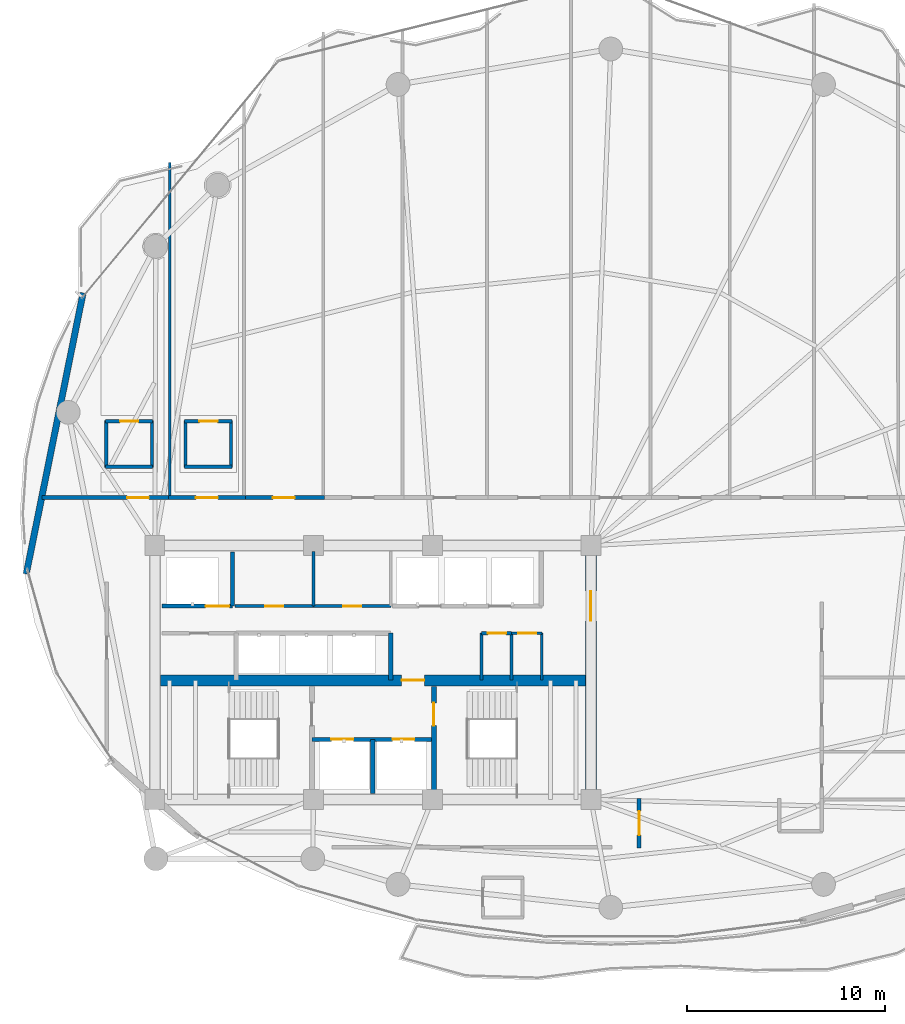
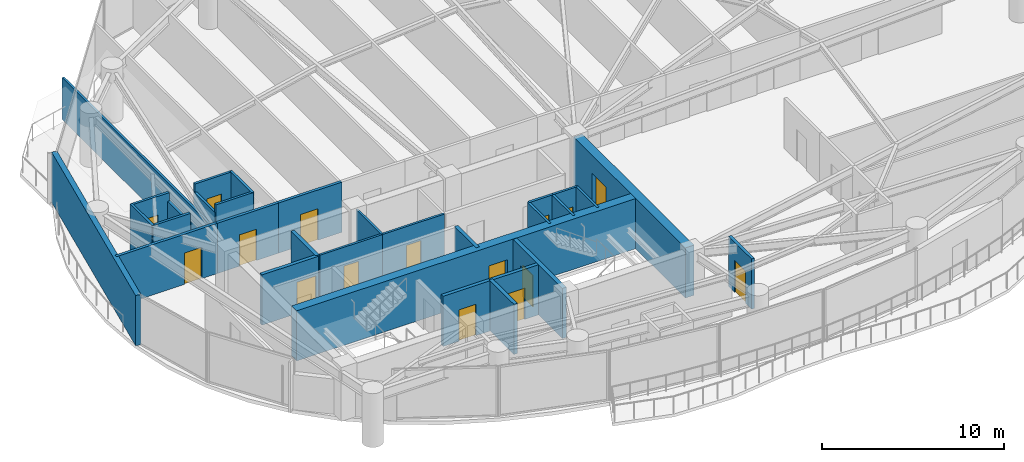
# One storey, part 23 of 28: 30 walls, 16 doors, 16 openings.
"""IFC4 building model written with IfcOpenShell, lengths in metres."""

from ifc_helpers import new_model, si_unit, direction, frame, frame_2d, origin, place, context, subcontext, project, spatial, rectangle, extrude, material, layer, layer_set, type_object, element, fill, save


model = new_model("IFC4")

# Units and contexts
model_context = context("Model", 3, precision=1e-05, world=origin(), true_north=direction((0.0, 1.0)))
body_context = subcontext(model_context, "Body", "Model", "MODEL_VIEW")
ifc_project = project(units=[si_unit("LENGTHUNIT", "METRE"), si_unit("AREAUNIT", "SQUARE_METRE"), si_unit("VOLUMEUNIT", "CUBIC_METRE"), si_unit("PLANEANGLEUNIT", "RADIAN"), si_unit("MASSUNIT", "GRAM", prefix="KILO")], contexts=[model_context])

# Site, building, storey
site_placement = place(None, origin())
site = spatial("IfcSite", under=ifc_project, at=site_placement, CompositionType="ELEMENT")
building_placement = place(site_placement, origin())
building = spatial("IfcBuilding", under=site, at=building_placement, Name="Kazevale Care Tower and Concert Hall", CompositionType="ELEMENT")
storey_placement = place(building_placement, frame((0.0, 0.0, 138.60009765625)))
storey = spatial("IfcBuildingStorey", under=building, at=storey_placement, Name="L36", CompositionType="ELEMENT", Elevation=138.60009765625)

# Wall, opening, door
ifc_material_1 = material(Name="Acoustic Gypsum on Steel Stud", Category="steel")
ifc_layer_1 = layer(ifc_material_1, 0.139892578125)
ifc_layer_set_1 = layer_set([ifc_layer_1], Name="Acoustic Gypsum on Steel Stud")
wall_type_1 = type_object("IfcWallType", Name="Acoustic Care & Suite Partition 140", PredefinedType="PARTITIONING", material=ifc_layer_set_1)
wall_1_placement = place(storey_placement, frame((26.050048828125, 33.35009765625, 0.0), z_axis=(0.0, 0.0, 1.0), x_axis=(1.0, 0.0, 0.0)))
wall_1 = element("IfcWall", 1, at=wall_1_placement, inside=storey, type_object=wall_type_1, Name="wall:L36:c_rpl1_s", PredefinedType="PARTITIONING", context=body_context, shape_type="SweptSolid", body=[
    extrude(rectangle(XDim=3.949951171875, YDim=0.139892578125, at=frame_2d((1.97509765625, 0.0))), origin(), (0.0, 0.0, 1.0), 3.35986328125),
])
opening_1_placement = place(wall_1_placement, frame((1.514892578125, 0.0, 0.0)))
opening_1 = element("IfcOpeningElement", 2, at=opening_1_placement, cuts=wall_1, Name="Opening ID-900", PredefinedType="OPENING", context=body_context, shape_type="SweptSolid", body=[
    extrude(rectangle(XDim=0.919921875, YDim=2.10009765625, at=frame_2d((0.4599609375, 1.050048828125))), frame((0.0, 0.079833984375, 0.0), z_axis=(0.0, -1.0, 0.0), x_axis=(1.0, 0.0, 0.0)), (0.0, 0.0, 1.0), 0.159912109375),
])
ifc_material_2 = material(Name="Oak Timber Fire Leaf", Category="wood")
door_type_1 = type_object("IfcDoorType", Name="Bathroom & Service Door 920x2100", OperationType="NOTDEFINED", PredefinedType="DOOR", material=ifc_material_2)
door_1_placement = place(opening_1_placement, origin())
door_1 = element("IfcDoor", 3, at=door_1_placement, inside=storey, type_object=door_type_1, Name="door:L36:d_rpl1", OperationType="SINGLE_SWING_LEFT", OverallHeight=2.10009765625, OverallWidth=0.919921875, PredefinedType="DOOR", context=body_context, shape_type="SweptSolid", body=[
    extrude(rectangle(XDim=0.919921875, YDim=2.10009765625, at=frame_2d((0.4599609375, 1.050048828125))), frame((0.0, 0.02490234375, 0.0), z_axis=(0.0, -1.0, 0.0), x_axis=(1.0, 0.0, 0.0)), (0.0, 0.0, 1.0), 0.050048828125),
])
fill(opening_1, door_1)

wall_2_placement = place(storey_placement, frame((30.0, 33.35009765625, 0.0), z_axis=(0.0, 0.0, 1.0), x_axis=(1.0, 0.0, 0.0)))
wall_2 = element("IfcWall", 4, at=wall_2_placement, inside=storey, type_object=wall_type_1, Name="wall:L36:c_rpl2_s", PredefinedType="PARTITIONING", context=body_context, shape_type="SweptSolid", body=[
    extrude(rectangle(XDim=3.919921875, YDim=0.139892578125, at=frame_2d((1.9599609375, 0.0))), origin(), (0.0, 0.0, 1.0), 3.35986328125),
])
opening_2_placement = place(wall_2_placement, frame((1.5, 0.0, 0.0)))
opening_2 = element("IfcOpeningElement", 5, at=opening_2_placement, cuts=wall_2, Name="Opening ID-900", PredefinedType="OPENING", context=body_context, shape_type="SweptSolid", body=[
    extrude(rectangle(XDim=0.919921875, YDim=2.10009765625, at=frame_2d((0.4599609375, 1.050048828125))), frame((0.0, 0.079833984375, 0.0), z_axis=(0.0, -1.0, 0.0), x_axis=(1.0, 0.0, 0.0)), (0.0, 0.0, 1.0), 0.159912109375),
])
door_2_placement = place(opening_2_placement, origin())
door_2 = element("IfcDoor", 6, at=door_2_placement, inside=storey, type_object=door_type_1, Name="door:L36:d_rpl2", OperationType="SINGLE_SWING_RIGHT", OverallHeight=2.10009765625, OverallWidth=0.919921875, PredefinedType="DOOR", context=body_context, shape_type="SweptSolid", body=[
    extrude(rectangle(XDim=0.919921875, YDim=2.10009765625, at=frame_2d((0.4599609375, 1.050048828125))), frame((0.0, 0.02490234375, 0.0), z_axis=(0.0, -1.0, 0.0), x_axis=(1.0, 0.0, 0.0)), (0.0, 0.0, 1.0), 0.050048828125),
])
fill(opening_2, door_2)

# Walls
wall_3_placement = place(storey_placement, frame((30.0, 33.35009765625, 0.0), z_axis=(0.0, 0.0, 1.0), x_axis=(0.0, 1.0, 0.0)))
element("IfcWall", 7, at=wall_3_placement, inside=storey, type_object=wall_type_1, Name="wall:L36:c_rpl_m", PredefinedType="PARTITIONING", context=body_context, shape_type="SweptSolid", body=[
    extrude(rectangle(XDim=2.75, YDim=0.139892578125, at=frame_2d((1.375, 0.0))), origin(), (0.0, 0.0, 1.0), 3.35986328125),
])
wall_4_placement = place(storey_placement, frame((41.52001953125, 29.6201171875, 0.0), z_axis=(0.0, 0.0, 1.0), x_axis=(0.0, 1.0, 0.0)))
element("IfcWall", 8, at=wall_4_placement, inside=storey, type_object=wall_type_1, Name="wall:L36:ka_ee", PredefinedType="PARTITIONING", context=body_context, shape_type="SweptSolid", body=[
    extrude(rectangle(XDim=2.35986328125, YDim=0.139892578125, at=frame_2d((1.179931640625, 0.0))), origin(), (0.0, 0.0, 1.0), 3.35986328125),
])

# Wall, opening, door
wall_5_placement = place(storey_placement, frame((40.0, 31.97998046875, 0.0), z_axis=(0.0, 0.0, 1.0), x_axis=(1.0, 0.0, 0.0)))
wall_5 = element("IfcWall", 9, at=wall_5_placement, inside=storey, type_object=wall_type_1, Name="wall:L36:ka_en2", PredefinedType="PARTITIONING", context=body_context, shape_type="SweptSolid", body=[
    extrude(rectangle(XDim=1.52001953125, YDim=0.139892578125, at=frame_2d((0.760009765625, 0.0))), origin(), (0.0, 0.0, 1.0), 3.35986328125),
])
opening_3_placement = place(wall_5_placement, frame((0.320068359375, 0.0, 0.0)))
opening_3 = element("IfcOpeningElement", 10, at=opening_3_placement, cuts=wall_5, Name="Opening ID-900", PredefinedType="OPENING", context=body_context, shape_type="SweptSolid", body=[
    extrude(rectangle(XDim=0.919921875, YDim=2.10009765625, at=frame_2d((0.4599609375, 1.050048828125))), frame((0.0, 0.079833984375, 0.0), z_axis=(0.0, -1.0, 0.0), x_axis=(1.0, 0.0, 0.0)), (0.0, 0.0, 1.0), 0.159912109375),
])
door_3_placement = place(opening_3_placement, origin())
door_3 = element("IfcDoor", 11, at=door_3_placement, inside=storey, type_object=door_type_1, Name="door:L36:d_kae2", OperationType="SINGLE_SWING_RIGHT", OverallHeight=2.10009765625, OverallWidth=0.919921875, PredefinedType="DOOR", context=body_context, shape_type="SweptSolid", body=[
    extrude(rectangle(XDim=0.919921875, YDim=2.10009765625, at=frame_2d((0.4599609375, 1.050048828125))), frame((0.0, 0.02490234375, 0.0), z_axis=(0.0, -1.0, 0.0), x_axis=(1.0, 0.0, 0.0)), (0.0, 0.0, 1.0), 0.050048828125),
])
fill(opening_3, door_3)

# Wall
wall_6_placement = place(storey_placement, frame((22.75, 55.73388671875, 0.0), z_axis=(0.0, 0.0, 1.0), x_axis=(0.0, -1.0, 0.0)))
element("IfcWall", 12, at=wall_6_placement, inside=storey, type_object=wall_type_1, Name="wall:L36:auto_021", PredefinedType="PARTITIONING", context=body_context, shape_type="SweptSolid", body=[
    extrude(rectangle(XDim=16.93896484375, YDim=0.139892578125, at=frame_2d((8.469482421875, 0.0))), origin(), (0.0, 0.0, 1.0), 2.805908203125),
])

# Wall, opening, door
ifc_material_3 = material(Name="Concrete C60", Category="concrete")
ifc_layer_2 = layer(ifc_material_3, 0.550048828125)
ifc_layer_set_2 = layer_set([ifc_layer_2], Name="Concrete C60")
wall_type_2 = type_object("IfcWallType", Name="Core Shear Wall 550 C60", PredefinedType="SHEAR", material=ifc_layer_set_2)
wall_7_placement = place(storey_placement, frame((44.0, 23.875, 0.0), z_axis=(0.0, 0.0, 1.0), x_axis=(0.0, 1.0, 0.0)))
wall_7 = element("IfcWall", 13, at=wall_7_placement, inside=storey, type_object=wall_type_2, Name="wall:L36:core:E", PredefinedType="SHEAR", context=body_context, shape_type="SweptSolid", body=[
    extrude(rectangle(XDim=12.25, YDim=0.550048828125, at=frame_2d((6.125, 0.0))), origin(), (0.0, 0.0, 1.0), 3.35986328125),
])
opening_4_placement = place(wall_7_placement, frame((8.72509765625, 0.0, 0.0)))
opening_4 = element("IfcOpeningElement", 14, at=opening_4_placement, cuts=wall_7, Name="Opening FD-60D", PredefinedType="OPENING", context=body_context, shape_type="SweptSolid", body=[
    extrude(rectangle(XDim=1.5, YDim=2.14990234375, at=frame_2d((0.75, 1.074951171875))), frame((0.0, 0.284912109375, 0.0), z_axis=(0.0, -1.0, 0.0), x_axis=(1.0, 0.0, 0.0)), (0.0, 0.0, 1.0), 0.570068359375),
])
door_type_2 = type_object("IfcDoorType", Name="Double Lobby & Auditorium Fire Door 1500x2150", OperationType="NOTDEFINED", PredefinedType="DOOR", material=ifc_material_2)
door_4_placement = place(opening_4_placement, origin())
door_4 = element("IfcDoor", 15, at=door_4_placement, inside=storey, type_object=door_type_2, Name="door:L36:core_east_out", OperationType="DOUBLE_DOOR_SINGLE_SWING", OverallHeight=2.14990234375, OverallWidth=1.5, PredefinedType="DOOR", context=body_context, shape_type="SweptSolid", body=[
    extrude(rectangle(XDim=1.5, YDim=2.14990234375, at=frame_2d((0.75, 1.074951171875))), frame((0.0, 0.02490234375, 0.0), z_axis=(0.0, -1.0, 0.0), x_axis=(1.0, 0.0, 0.0)), (0.0, 0.0, 1.0), 0.050048828125),
])
fill(opening_4, door_4)

wall_8_placement = place(storey_placement, frame((22.27490234375, 29.60009765625, 0.0), z_axis=(0.0, 0.0, 1.0), x_axis=(1.0, 0.0, 0.0)))
wall_8 = element("IfcWall", 16, at=wall_8_placement, inside=storey, type_object=wall_type_2, Name="wall:L36:core:M", PredefinedType="SHEAR", context=body_context, shape_type="SweptSolid", body=[
    extrude(rectangle(XDim=21.4501953125, YDim=0.550048828125, at=frame_2d((10.72509765625, 0.0))), origin(), (0.0, 0.0, 1.0), 3.35986328125),
])
opening_5_placement = place(wall_8_placement, frame((12.175048828125, 0.0, 0.0)))
opening_5 = element("IfcOpeningElement", 17, at=opening_5_placement, cuts=wall_8, Name="Opening FD-90", PredefinedType="OPENING", context=body_context, shape_type="SweptSolid", body=[
    extrude(rectangle(XDim=1.14990234375, YDim=2.10009765625, at=frame_2d((0.574951171875, 1.050048828125))), frame((0.0, 0.284912109375, 0.0), z_axis=(0.0, -1.0, 0.0), x_axis=(1.0, 0.0, 0.0)), (0.0, 0.0, 1.0), 0.570068359375),
])
ifc_material_4 = material(Name="Steel ASTM A572 Gr 50", Category="steel")
door_type_3 = type_object("IfcDoorType", Name="Pressurized Stair & Lobby Fire Door 1150x2100", OperationType="NOTDEFINED", PredefinedType="DOOR", material=ifc_material_4)
door_5_placement = place(opening_5_placement, origin())
door_5 = element("IfcDoor", 18, at=door_5_placement, inside=storey, type_object=door_type_3, Name="door:L36:ff_to_pax", OperationType="SINGLE_SWING_LEFT", OverallHeight=2.10009765625, OverallWidth=1.14990234375, PredefinedType="DOOR", context=body_context, shape_type="SweptSolid", body=[
    extrude(rectangle(XDim=1.14990234375, YDim=2.10009765625, at=frame_2d((0.574951171875, 1.050048828125))), frame((0.0, 0.02490234375, 0.0), z_axis=(0.0, -1.0, 0.0), x_axis=(1.0, 0.0, 0.0)), (0.0, 0.0, 1.0), 0.050048828125),
])
fill(opening_5, door_5)

# Wall, openings, doors
ifc_material_5 = material(Name="Concrete C40", Category="concrete")
ifc_layer_3 = layer(ifc_material_5, 0.219970703125)
ifc_layer_set_3 = layer_set([ifc_layer_3], Name="Concrete C40")
wall_type_3 = type_object("IfcWallType", Name="Elevator Hoistway Shaft Wall 220", PredefinedType="SOLIDWALL", material=ifc_layer_set_3)
wall_9_placement = place(storey_placement, frame((29.919921875, 26.6201171875, 0.0), z_axis=(0.0, 0.0, 1.0), x_axis=(1.0, 0.0, 0.0)))
wall_9 = element("IfcWall", 19, at=wall_9_placement, inside=storey, type_object=wall_type_3, Name="wall:L36:c_ffl_n", PredefinedType="SOLIDWALL", context=body_context, shape_type="SweptSolid", body=[
    extrude(rectangle(XDim=6.16015625, YDim=0.219970703125, at=frame_2d((3.080078125, 0.0))), origin(), (0.0, 0.0, 1.0), 3.35986328125),
])
opening_6_placement = place(wall_9_placement, frame((0.989990234375, 0.0, 0.0)))
opening_6 = element("IfcOpeningElement", 20, at=opening_6_placement, cuts=wall_9, Name="Opening LD-FF", PredefinedType="OPENING", context=body_context, shape_type="SweptSolid", body=[
    extrude(rectangle(XDim=1.10009765625, YDim=2.10009765625, at=frame_2d((0.550048828125, 1.050048828125))), frame((0.0, 0.119873046875, 0.0), z_axis=(0.0, -1.0, 0.0), x_axis=(1.0, 0.0, 0.0)), (0.0, 0.0, 1.0), 0.239990234375),
])
opening_7_placement = place(wall_9_placement, frame((4.070068359375, 0.0, 0.0)))
opening_7 = element("IfcOpeningElement", 21, at=opening_7_placement, cuts=wall_9, Name="Opening LD-FF", PredefinedType="OPENING", context=body_context, shape_type="SweptSolid", body=[
    extrude(rectangle(XDim=1.10009765625, YDim=2.10009765625, at=frame_2d((0.550048828125, 1.050048828125))), frame((0.0, 0.119873046875, 0.0), z_axis=(0.0, -1.0, 0.0), x_axis=(1.0, 0.0, 0.0)), (0.0, 0.0, 1.0), 0.239990234375),
])
ifc_material_6 = material(Name="Stainless Steel 316", Category="steel")
door_type_4 = type_object("IfcDoorType", Name="Emergency Lift Sliding Landing Door 1100x2100", OperationType="NOTDEFINED", PredefinedType="DOOR", material=ifc_material_6)
door_6_placement = place(opening_6_placement, origin())
door_6 = element("IfcDoor", 22, at=door_6_placement, inside=storey, type_object=door_type_4, Name="door:L36:ld_ffl1", OperationType="SLIDING_TO_LEFT", OverallHeight=2.10009765625, OverallWidth=1.10009765625, PredefinedType="DOOR", context=body_context, shape_type="SweptSolid", body=[
    extrude(rectangle(XDim=1.10009765625, YDim=2.10009765625, at=frame_2d((0.550048828125, 1.050048828125))), frame((0.0, 0.02490234375, 0.0), z_axis=(0.0, -1.0, 0.0), x_axis=(1.0, 0.0, 0.0)), (0.0, 0.0, 1.0), 0.050048828125),
])
fill(opening_6, door_6)
door_7_placement = place(opening_7_placement, origin())
door_7 = element("IfcDoor", 23, at=door_7_placement, inside=storey, type_object=door_type_4, Name="door:L36:ld_ffl2", OperationType="SLIDING_TO_RIGHT", OverallHeight=2.10009765625, OverallWidth=1.10009765625, PredefinedType="DOOR", context=body_context, shape_type="SweptSolid", body=[
    extrude(rectangle(XDim=1.10009765625, YDim=2.10009765625, at=frame_2d((0.550048828125, 1.050048828125))), frame((0.0, 0.02490234375, 0.0), z_axis=(0.0, -1.0, 0.0), x_axis=(1.0, 0.0, 0.0)), (0.0, 0.0, 1.0), 0.050048828125),
])
fill(opening_7, door_7)

# Walls
wall_10_placement = place(storey_placement, frame((33.0, 23.89990234375, 0.0), z_axis=(0.0, 0.0, 1.0), x_axis=(0.0, 1.0, 0.0)))
element("IfcWall", 24, at=wall_10_placement, inside=storey, type_object=wall_type_3, Name="wall:L36:c_ffl_m", PredefinedType="SOLIDWALL", context=body_context, shape_type="SweptSolid", body=[
    extrude(rectangle(XDim=2.72021484375, YDim=0.219970703125, at=frame_2d((1.360107421875, 0.0))), origin(), (0.0, 0.0, 1.0), 3.35986328125),
])
wall_11_placement = place(storey_placement, frame((25.919921875, 33.35009765625, 0.0), z_axis=(0.0, 0.0, 1.0), x_axis=(0.0, 1.0, 0.0)))
element("IfcWall", 25, at=wall_11_placement, inside=storey, type_object=wall_type_3, Name="wall:L36:c_svl_e", PredefinedType="SOLIDWALL", context=body_context, shape_type="SweptSolid", body=[
    extrude(rectangle(XDim=2.72998046875, YDim=0.219970703125, at=frame_2d((1.364990234375, 0.0))), origin(), (0.0, 0.0, 1.0), 3.35986328125),
])

# Wall, opening, door
wall_12_placement = place(storey_placement, frame((22.35009765625, 33.35009765625, 0.0), z_axis=(0.0, 0.0, 1.0), x_axis=(1.0, 0.0, 0.0)))
wall_12 = element("IfcWall", 26, at=wall_12_placement, inside=storey, type_object=wall_type_3, Name="wall:L36:c_svl_s", PredefinedType="SOLIDWALL", context=body_context, shape_type="SweptSolid", body=[
    extrude(rectangle(XDim=3.56982421875, YDim=0.219970703125, at=frame_2d((1.784912109375, 0.0))), origin(), (0.0, 0.0, 1.0), 3.35986328125),
])
opening_8_placement = place(wall_12_placement, frame((2.212890625, 0.0, 0.0)))
opening_8 = element("IfcOpeningElement", 27, at=opening_8_placement, cuts=wall_12, Name="Opening LD-SV", PredefinedType="OPENING", context=body_context, shape_type="SweptSolid", body=[
    extrude(rectangle(XDim=1.199951171875, YDim=2.10009765625, at=frame_2d((0.60009765625, 1.050048828125))), frame((0.0, 0.119873046875, 0.0), z_axis=(0.0, -1.0, 0.0), x_axis=(1.0, 0.0, 0.0)), (0.0, 0.0, 1.0), 0.239990234375),
])
door_type_5 = type_object("IfcDoorType", Name="Service Lift Sliding Landing Door 1200x2100", OperationType="NOTDEFINED", PredefinedType="DOOR", material=ifc_material_6)
door_8_placement = place(opening_8_placement, origin())
door_8 = element("IfcDoor", 28, at=door_8_placement, inside=storey, type_object=door_type_5, Name="door:L36:ld_svl1", OperationType="SLIDING_TO_LEFT", OverallHeight=2.10009765625, OverallWidth=1.199951171875, PredefinedType="DOOR", context=body_context, shape_type="SweptSolid", body=[
    extrude(rectangle(XDim=1.199951171875, YDim=2.10009765625, at=frame_2d((0.60009765625, 1.050048828125))), frame((0.0, 0.02490234375, 0.0), z_axis=(0.0, -1.0, 0.0), x_axis=(1.0, 0.0, 0.0)), (0.0, 0.0, 1.0), 0.050048828125),
])
fill(opening_8, door_8)

# Wall
wall_13_placement = place(storey_placement, frame((33.89990234375, 29.6201171875, 0.0), z_axis=(0.0, 0.0, 1.0), x_axis=(0.0, 1.0, 0.0)))
element("IfcWall", 29, at=wall_13_placement, inside=storey, type_object=wall_type_3, Name="wall:L36:c_ph_e", PredefinedType="SOLIDWALL", context=body_context, shape_type="SweptSolid", body=[
    extrude(rectangle(XDim=2.35986328125, YDim=0.219970703125, at=frame_2d((1.179931640625, 0.0))), origin(), (0.0, 0.0, 1.0), 3.35986328125),
])

# Wall, opening, door
ifc_material_7 = material(Name="Concrete C40 and Acoustic Gypsum", Category="concrete")
ifc_layer_4 = layer(ifc_material_7, 0.179931640625)
ifc_layer_set_4 = layer_set([ifc_layer_4], Name="Concrete C40 and Acoustic Gypsum")
wall_type_4 = type_object("IfcWallType", Name="Fire-Rated Corridor & Party Wall 180", PredefinedType="PARTITIONING", material=ifc_layer_set_4)
wall_14_placement = place(storey_placement, frame((16.3046875, 38.824951171875, 0.0), z_axis=(0.0, 0.0, 1.0), x_axis=(1.0, 0.0, 0.0)))
wall_14 = element("IfcWall", 30, at=wall_14_placement, inside=storey, type_object=wall_type_4, Name="wall:L36:auto_001", PredefinedType="PARTITIONING", context=body_context, shape_type="SweptSolid", body=[
    extrude(rectangle(XDim=6.51025390625, YDim=0.179931640625, at=frame_2d((3.255126953125, 0.0))), origin(), (0.0, 0.0, 1.0), 3.35986328125),
])
opening_9_placement = place(wall_14_placement, frame((4.300048828125, 0.0, 0.0)))
opening_9 = element("IfcOpeningElement", 31, at=opening_9_placement, cuts=wall_14, Name="Opening ID-1100", PredefinedType="OPENING", context=body_context, shape_type="SweptSolid", body=[
    extrude(rectangle(XDim=1.10009765625, YDim=2.10009765625, at=frame_2d((0.550048828125, 1.050048828125))), frame((0.0, 0.099853515625, 0.0), z_axis=(0.0, -1.0, 0.0), x_axis=(1.0, 0.0, 0.0)), (0.0, 0.0, 1.0), 0.199951171875),
])
door_type_6 = type_object("IfcDoorType", Name="Care Bedroom Accessible Door 1100x2100", OperationType="NOTDEFINED", PredefinedType="DOOR", material=ifc_material_2)
door_9_placement = place(opening_9_placement, origin())
door_9 = element("IfcDoor", 32, at=door_9_placement, inside=storey, type_object=door_type_6, Name="door:L36:ad_001", OperationType="SINGLE_SWING_LEFT", OverallHeight=2.10009765625, OverallWidth=1.10009765625, PredefinedType="DOOR", context=body_context, shape_type="SweptSolid", body=[
    extrude(rectangle(XDim=1.10009765625, YDim=2.10009765625, at=frame_2d((0.550048828125, 1.050048828125))), frame((0.0, 0.02490234375, 0.0), z_axis=(0.0, -1.0, 0.0), x_axis=(1.0, 0.0, 0.0)), (0.0, 0.0, 1.0), 0.050048828125),
])
fill(opening_9, door_9)

wall_15_placement = place(storey_placement, frame((22.68505859375, 38.824951171875, 0.0), z_axis=(0.0, 0.0, 1.0), x_axis=(1.0, 0.0, 0.0)))
wall_15 = element("IfcWall", 33, at=wall_15_placement, inside=storey, type_object=wall_type_4, Name="wall:L36:auto_002", PredefinedType="PARTITIONING", context=body_context, shape_type="SweptSolid", body=[
    extrude(rectangle(XDim=3.8798828125, YDim=0.179931640625, at=frame_2d((1.93994140625, 0.0))), origin(), (0.0, 0.0, 1.0), 3.35986328125),
])
opening_10_placement = place(wall_15_placement, frame((1.389892578125, 0.0, 0.0)))
opening_10 = element("IfcOpeningElement", 34, at=opening_10_placement, cuts=wall_15, Name="Opening ID-1100", PredefinedType="OPENING", context=body_context, shape_type="SweptSolid", body=[
    extrude(rectangle(XDim=1.10009765625, YDim=2.10009765625, at=frame_2d((0.550048828125, 1.050048828125))), frame((0.0, 0.099853515625, 0.0), z_axis=(0.0, -1.0, 0.0), x_axis=(1.0, 0.0, 0.0)), (0.0, 0.0, 1.0), 0.199951171875),
])
door_10_placement = place(opening_10_placement, origin())
door_10 = element("IfcDoor", 35, at=door_10_placement, inside=storey, type_object=door_type_6, Name="door:L36:ad_002", OperationType="SINGLE_SWING_LEFT", OverallHeight=2.10009765625, OverallWidth=1.10009765625, PredefinedType="DOOR", context=body_context, shape_type="SweptSolid", body=[
    extrude(rectangle(XDim=1.10009765625, YDim=2.10009765625, at=frame_2d((0.550048828125, 1.050048828125))), frame((0.0, 0.02490234375, 0.0), z_axis=(0.0, -1.0, 0.0), x_axis=(1.0, 0.0, 0.0)), (0.0, 0.0, 1.0), 0.050048828125),
])
fill(opening_10, door_10)

wall_16_placement = place(storey_placement, frame((26.43505859375, 38.824951171875, 0.0), z_axis=(0.0, 0.0, 1.0), x_axis=(1.0, 0.0, 0.0)))
wall_16 = element("IfcWall", 36, at=wall_16_placement, inside=storey, type_object=wall_type_4, Name="wall:L36:auto_003", PredefinedType="PARTITIONING", context=body_context, shape_type="SweptSolid", body=[
    extrude(rectangle(XDim=4.1298828125, YDim=0.179931640625, at=frame_2d((2.06494140625, 0.0))), origin(), (0.0, 0.0, 1.0), 3.35986328125),
])
opening_11_placement = place(wall_16_placement, frame((1.514892578125, 0.0, 0.0)))
opening_11 = element("IfcOpeningElement", 37, at=opening_11_placement, cuts=wall_16, Name="Opening ID-1100", PredefinedType="OPENING", context=body_context, shape_type="SweptSolid", body=[
    extrude(rectangle(XDim=1.10009765625, YDim=2.10009765625, at=frame_2d((0.550048828125, 1.050048828125))), frame((0.0, 0.099853515625, 0.0), z_axis=(0.0, -1.0, 0.0), x_axis=(1.0, 0.0, 0.0)), (0.0, 0.0, 1.0), 0.199951171875),
])
door_11_placement = place(opening_11_placement, origin())
door_11 = element("IfcDoor", 38, at=door_11_placement, inside=storey, type_object=door_type_6, Name="door:L36:ad_003", OperationType="SINGLE_SWING_LEFT", OverallHeight=2.10009765625, OverallWidth=1.10009765625, PredefinedType="DOOR", context=body_context, shape_type="SweptSolid", body=[
    extrude(rectangle(XDim=1.10009765625, YDim=2.10009765625, at=frame_2d((0.550048828125, 1.050048828125))), frame((0.0, 0.02490234375, 0.0), z_axis=(0.0, -1.0, 0.0), x_axis=(1.0, 0.0, 0.0)), (0.0, 0.0, 1.0), 0.050048828125),
])
fill(opening_11, door_11)

wall_17_placement = place(storey_placement, frame((46.425048828125, 23.655029296875, 0.0), z_axis=(0.0, 0.0, 1.0), x_axis=(0.0, -1.0, 0.0)))
wall_17 = element("IfcWall", 39, at=wall_17_placement, inside=storey, type_object=wall_type_4, Name="wall:L36:auto_012", PredefinedType="PARTITIONING", context=body_context, shape_type="SweptSolid", body=[
    extrude(rectangle(XDim=2.510009765625, YDim=0.179931640625, at=frame_2d((1.2548828125, 0.0))), origin(), (0.0, 0.0, 1.0), 3.35986328125),
])
opening_12_placement = place(wall_17_placement, frame((0.655029296875, 0.0, 0.0)))
opening_12 = element("IfcOpeningElement", 40, at=opening_12_placement, cuts=wall_17, Name="Opening ID-1200", PredefinedType="OPENING", context=body_context, shape_type="SweptSolid", body=[
    extrude(rectangle(XDim=1.199951171875, YDim=2.14990234375, at=frame_2d((0.60009765625, 1.074951171875))), frame((0.0, 0.099853515625, 0.0), z_axis=(0.0, -1.0, 0.0), x_axis=(1.0, 0.0, 0.0)), (0.0, 0.0, 1.0), 0.199951171875),
])
door_type_7 = type_object("IfcDoorType", Name="Clinical & Therapy Door 1200x2150", OperationType="NOTDEFINED", PredefinedType="DOOR", material=ifc_material_2)
door_12_placement = place(opening_12_placement, origin())
door_12 = element("IfcDoor", 41, at=door_12_placement, inside=storey, type_object=door_type_7, Name="door:L36:ad_012", OperationType="SINGLE_SWING_LEFT", OverallHeight=2.14990234375, OverallWidth=1.199951171875, PredefinedType="DOOR", context=body_context, shape_type="SweptSolid", body=[
    extrude(rectangle(XDim=1.199951171875, YDim=2.14990234375, at=frame_2d((0.60009765625, 1.074951171875))), frame((0.0, 0.02490234375, 0.0), z_axis=(0.0, -1.0, 0.0), x_axis=(1.0, 0.0, 0.0)), (0.0, 0.0, 1.0), 0.050048828125),
])
fill(opening_12, door_12)

# Walls
ifc_layer_5 = layer(ifc_material_1, 0.159912109375)
ifc_layer_set_5 = layer_set([ifc_layer_5], Name="Acoustic Gypsum on Steel Stud")
wall_type_5 = type_object("IfcWallType", Name="Moisture-Resistant Bathroom Plumbing Wall 160", PredefinedType="PLUMBINGWALL", material=ifc_layer_set_5)
for number, where, z_axis, x_axis, name in (
    (42, (38.47998046875, 29.6201171875, 0.0), (0.0, 0.0, 1.0), (0.0, 1.0, 0.0), "wall:L36:ka_ew"),
    (43, (40.0, 29.6201171875, 0.0), (0.0, 0.0, 1.0), (0.0, 1.0, 0.0), "wall:L36:ka_em"),
):
    element("IfcWall", number, at=place(storey_placement, frame(where, z_axis=z_axis, x_axis=x_axis)), inside=storey, type_object=wall_type_5, Name=name, PredefinedType="PLUMBINGWALL", context=body_context, shape_type="SweptSolid", body=[
        extrude(rectangle(XDim=2.35986328125, YDim=0.159912109375, at=frame_2d((1.179931640625, 0.0))), origin(), (0.0, 0.0, 1.0), 3.35986328125),
    ])

# Wall, opening, door
wall_18_placement = place(storey_placement, frame((38.47998046875, 31.97998046875, 0.0), z_axis=(0.0, 0.0, 1.0), x_axis=(1.0, 0.0, 0.0)))
wall_18 = element("IfcWall", 44, at=wall_18_placement, inside=storey, type_object=wall_type_5, Name="wall:L36:ka_en1", PredefinedType="PLUMBINGWALL", context=body_context, shape_type="SweptSolid", body=[
    extrude(rectangle(XDim=1.52001953125, YDim=0.159912109375, at=frame_2d((0.760009765625, 0.0))), origin(), (0.0, 0.0, 1.0), 3.35986328125),
])
opening_13_placement = place(wall_18_placement, frame((0.320068359375, 0.0, 0.0)))
opening_13 = element("IfcOpeningElement", 45, at=opening_13_placement, cuts=wall_18, Name="Opening ID-900", PredefinedType="OPENING", context=body_context, shape_type="SweptSolid", body=[
    extrude(rectangle(XDim=0.919921875, YDim=2.10009765625, at=frame_2d((0.4599609375, 1.050048828125))), frame((0.0, 0.08984375, 0.0), z_axis=(0.0, -1.0, 0.0), x_axis=(1.0, 0.0, 0.0)), (0.0, 0.0, 1.0), 0.179931640625),
])
door_13_placement = place(opening_13_placement, origin())
door_13 = element("IfcDoor", 46, at=door_13_placement, inside=storey, type_object=door_type_1, Name="door:L36:d_kae1", OperationType="SINGLE_SWING_LEFT", OverallHeight=2.10009765625, OverallWidth=0.919921875, PredefinedType="DOOR", context=body_context, shape_type="SweptSolid", body=[
    extrude(rectangle(XDim=0.919921875, YDim=2.10009765625, at=frame_2d((0.4599609375, 1.050048828125))), frame((0.0, 0.02490234375, 0.0), z_axis=(0.0, -1.0, 0.0), x_axis=(1.0, 0.0, 0.0)), (0.0, 0.0, 1.0), 0.050048828125),
])
fill(opening_13, door_13)

# Wall
wall_19_placement = place(storey_placement, frame((19.510009765625, 40.375, 0.0), z_axis=(0.0, 0.0, 1.0), x_axis=(1.0, 0.0, 0.0)))
element("IfcWall", 47, at=wall_19_placement, inside=storey, type_object=wall_type_5, Name="wall:L36:nb2a_ens_ws", PredefinedType="PLUMBINGWALL", context=body_context, shape_type="SweptSolid", body=[
    extrude(rectangle(XDim=2.3798828125, YDim=0.159912109375, at=frame_2d((1.18994140625, 0.0))), origin(), (0.0, 0.0, 1.0), 3.35986328125),
])

# Wall, opening, door
wall_20_placement = place(storey_placement, frame((19.510009765625, 42.675048828125, 0.0), z_axis=(0.0, 0.0, 1.0), x_axis=(1.0, 0.0, 0.0)))
wall_20 = element("IfcWall", 48, at=wall_20_placement, inside=storey, type_object=wall_type_5, Name="wall:L36:nb2a_ens_wn", PredefinedType="PLUMBINGWALL", context=body_context, shape_type="SweptSolid", body=[
    extrude(rectangle(XDim=2.3798828125, YDim=0.159912109375, at=frame_2d((1.18994140625, 0.0))), origin(), (0.0, 0.0, 1.0), 3.35986328125),
])
opening_14_placement = place(wall_20_placement, frame((0.739990234375, 0.0, 0.0)))
opening_14 = element("IfcOpeningElement", 49, at=opening_14_placement, cuts=wall_20, Name="Opening ID-900", PredefinedType="OPENING", context=body_context, shape_type="SweptSolid", body=[
    extrude(rectangle(XDim=0.919921875, YDim=2.10009765625, at=frame_2d((0.4599609375, 1.050048828125))), frame((0.0, 0.08984375, 0.0), z_axis=(0.0, -1.0, 0.0), x_axis=(1.0, 0.0, 0.0)), (0.0, 0.0, 1.0), 0.179931640625),
])
door_14_placement = place(opening_14_placement, origin())
door_14 = element("IfcDoor", 50, at=door_14_placement, inside=storey, type_object=door_type_1, Name="door:L36:nb2a_ens_d", OperationType="SINGLE_SWING_LEFT", OverallHeight=2.10009765625, OverallWidth=0.919921875, PredefinedType="DOOR", context=body_context, shape_type="SweptSolid", body=[
    extrude(rectangle(XDim=0.919921875, YDim=2.10009765625, at=frame_2d((0.4599609375, 1.050048828125))), frame((0.0, 0.02490234375, 0.0), z_axis=(0.0, -1.0, 0.0), x_axis=(1.0, 0.0, 0.0)), (0.0, 0.0, 1.0), 0.050048828125),
])
fill(opening_14, door_14)

# Walls
wall_21_placement = place(storey_placement, frame((19.550048828125, 40.3349609375, 0.0), z_axis=(0.0, 0.0, 1.0), x_axis=(0.0, 1.0, 0.0)))
element("IfcWall", 51, at=wall_21_placement, inside=storey, type_object=wall_type_5, Name="wall:L36:nb2a_ens_ww", PredefinedType="PLUMBINGWALL", context=body_context, shape_type="SweptSolid", body=[
    extrude(rectangle(XDim=2.380126953125, YDim=0.159912109375, at=frame_2d((1.18994140625, 0.0))), origin(), (0.0, 0.0, 1.0), 3.35986328125),
])
wall_22_placement = place(storey_placement, frame((21.85009765625, 40.3349609375, 0.0), z_axis=(0.0, 0.0, 1.0), x_axis=(0.0, 1.0, 0.0)))
element("IfcWall", 52, at=wall_22_placement, inside=storey, type_object=wall_type_5, Name="wall:L36:nb2a_ens_we", PredefinedType="PLUMBINGWALL", context=body_context, shape_type="SweptSolid", body=[
    extrude(rectangle(XDim=2.380126953125, YDim=0.159912109375, at=frame_2d((1.18994140625, 0.0))), origin(), (0.0, 0.0, 1.0), 2.805908203125),
])
wall_23_placement = place(storey_placement, frame((23.510009765625, 40.375, 0.0), z_axis=(0.0, 0.0, 1.0), x_axis=(1.0, 0.0, 0.0)))
element("IfcWall", 53, at=wall_23_placement, inside=storey, type_object=wall_type_5, Name="wall:L36:nb2b_ens_ws", PredefinedType="PLUMBINGWALL", context=body_context, shape_type="SweptSolid", body=[
    extrude(rectangle(XDim=2.3798828125, YDim=0.159912109375, at=frame_2d((1.18994140625, 0.0))), origin(), (0.0, 0.0, 1.0), 3.35986328125),
])

# Wall, opening, door
wall_24_placement = place(storey_placement, frame((23.510009765625, 42.675048828125, 0.0), z_axis=(0.0, 0.0, 1.0), x_axis=(1.0, 0.0, 0.0)))
wall_24 = element("IfcWall", 54, at=wall_24_placement, inside=storey, type_object=wall_type_5, Name="wall:L36:nb2b_ens_wn", PredefinedType="PLUMBINGWALL", context=body_context, shape_type="SweptSolid", body=[
    extrude(rectangle(XDim=2.3798828125, YDim=0.159912109375, at=frame_2d((1.18994140625, 0.0))), origin(), (0.0, 0.0, 1.0), 3.35986328125),
])
opening_15_placement = place(wall_24_placement, frame((0.739990234375, 0.0, 0.0)))
opening_15 = element("IfcOpeningElement", 55, at=opening_15_placement, cuts=wall_24, Name="Opening ID-900", PredefinedType="OPENING", context=body_context, shape_type="SweptSolid", body=[
    extrude(rectangle(XDim=0.919921875, YDim=2.10009765625, at=frame_2d((0.4599609375, 1.050048828125))), frame((0.0, 0.08984375, 0.0), z_axis=(0.0, -1.0, 0.0), x_axis=(1.0, 0.0, 0.0)), (0.0, 0.0, 1.0), 0.179931640625),
])
door_15_placement = place(opening_15_placement, origin())
door_15 = element("IfcDoor", 56, at=door_15_placement, inside=storey, type_object=door_type_1, Name="door:L36:nb2b_ens_d", OperationType="SINGLE_SWING_RIGHT", OverallHeight=2.10009765625, OverallWidth=0.919921875, PredefinedType="DOOR", context=body_context, shape_type="SweptSolid", body=[
    extrude(rectangle(XDim=0.919921875, YDim=2.10009765625, at=frame_2d((0.4599609375, 1.050048828125))), frame((0.0, 0.02490234375, 0.0), z_axis=(0.0, -1.0, 0.0), x_axis=(1.0, 0.0, 0.0)), (0.0, 0.0, 1.0), 0.050048828125),
])
fill(opening_15, door_15)

# Walls
wall_25_placement = place(storey_placement, frame((23.550048828125, 40.3349609375, 0.0), z_axis=(0.0, 0.0, 1.0), x_axis=(0.0, 1.0, 0.0)))
element("IfcWall", 57, at=wall_25_placement, inside=storey, type_object=wall_type_5, Name="wall:L36:nb2b_ens_ww", PredefinedType="PLUMBINGWALL", context=body_context, shape_type="SweptSolid", body=[
    extrude(rectangle(XDim=2.380126953125, YDim=0.159912109375, at=frame_2d((1.18994140625, 0.0))), origin(), (0.0, 0.0, 1.0), 2.805908203125),
])
wall_26_placement = place(storey_placement, frame((25.85009765625, 40.3349609375, 0.0), z_axis=(0.0, 0.0, 1.0), x_axis=(0.0, 1.0, 0.0)))
element("IfcWall", 58, at=wall_26_placement, inside=storey, type_object=wall_type_5, Name="wall:L36:nb2b_ens_we", PredefinedType="PLUMBINGWALL", context=body_context, shape_type="SweptSolid", body=[
    extrude(rectangle(XDim=2.380126953125, YDim=0.159912109375, at=frame_2d((1.18994140625, 0.0))), origin(), (0.0, 0.0, 1.0), 3.35986328125),
])

# Wall, opening, door
ifc_layer_6 = layer(ifc_material_5, 0.25)
ifc_layer_set_6 = layer_set([ifc_layer_6], Name="Concrete C40")
wall_type_6 = type_object("IfcWallType", Name="Pressurized Stair Shaft Wall 250", PredefinedType="SOLIDWALL", material=ifc_layer_set_6)
wall_27_placement = place(storey_placement, frame((36.080078125, 23.89990234375, 0.0), z_axis=(0.0, 0.0, 1.0), x_axis=(0.0, 1.0, 0.0)))
wall_27 = element("IfcWall", 59, at=wall_27_placement, inside=storey, type_object=wall_type_6, Name="wall:L36:c_st2_w", PredefinedType="SOLIDWALL", context=body_context, shape_type="SweptSolid", body=[
    extrude(rectangle(XDim=5.400146484375, YDim=0.25, at=frame_2d((2.7001953125, 0.0))), origin(), (0.0, 0.0, 1.0), 3.35986328125),
])
opening_16_placement = place(wall_27_placement, frame((3.4208984375, 0.0, 0.0)))
opening_16 = element("IfcOpeningElement", 60, at=opening_16_placement, cuts=wall_27, Name="Opening FD-90", PredefinedType="OPENING", context=body_context, shape_type="SweptSolid", body=[
    extrude(rectangle(XDim=1.14990234375, YDim=2.10009765625, at=frame_2d((0.574951171875, 1.050048828125))), frame((0.0, 0.135009765625, 0.0), z_axis=(0.0, -1.0, 0.0), x_axis=(1.0, 0.0, 0.0)), (0.0, 0.0, 1.0), 0.27001953125),
])
door_16_placement = place(opening_16_placement, origin())
door_16 = element("IfcDoor", 61, at=door_16_placement, inside=storey, type_object=door_type_3, Name="door:L36:st2", OperationType="SINGLE_SWING_LEFT", OverallHeight=2.10009765625, OverallWidth=1.14990234375, PredefinedType="DOOR", context=body_context, shape_type="SweptSolid", body=[
    extrude(rectangle(XDim=1.14990234375, YDim=2.10009765625, at=frame_2d((0.574951171875, 1.050048828125))), frame((0.0, 0.02490234375, 0.0), z_axis=(0.0, -1.0, 0.0), x_axis=(1.0, 0.0, 0.0)), (0.0, 0.0, 1.0), 0.050048828125),
])
fill(opening_16, door_16)

# Wall
ifc_material_8 = material(Name="Concrete C40 with Honed Limestone Cladding", Category="masonry")
ifc_layer_7 = layer(ifc_material_8, 0.320068359375)
ifc_layer_set_7 = layer_set([ifc_layer_7], Name="Concrete C40 with Honed Limestone Cladding")
wall_type_7 = type_object("IfcWallType", Name="Tower Honed Limestone Spandrel Wall 320", PredefinedType="STANDARD", material=ifc_layer_set_7)
wall_28_placement = place(storey_placement, frame((15.513916015625, 34.967041015625, 0.0), z_axis=(0.0, 0.0, 1.0), x_axis=(0.198370893133, 0.980127026848, 0.0)))
element("IfcWall", 62, at=wall_28_placement, inside=storey, type_object=wall_type_7, Name="wall:cw:L36:f13", PredefinedType="STANDARD", context=body_context, shape_type="SweptSolid", body=[
    extrude(rectangle(XDim=14.468505859375, YDim=0.320068359375, at=frame_2d((7.234375, 0.0))), origin(), (0.0, 0.0, 1.0), 3.35986328125),
])

save(model, "model.ifc")
